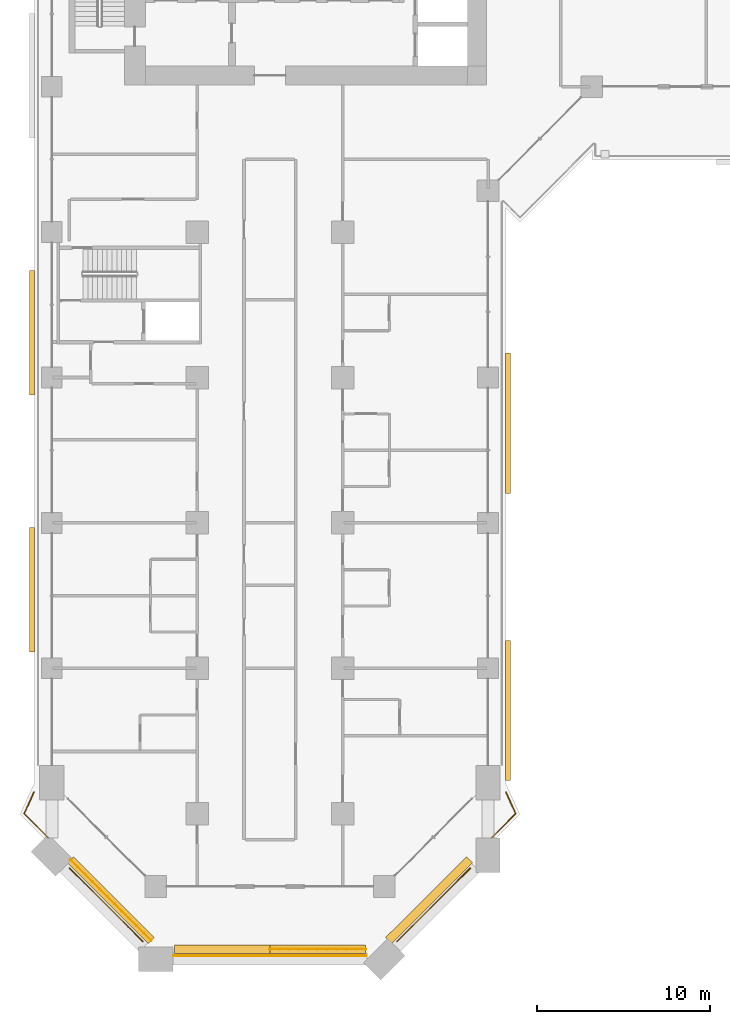
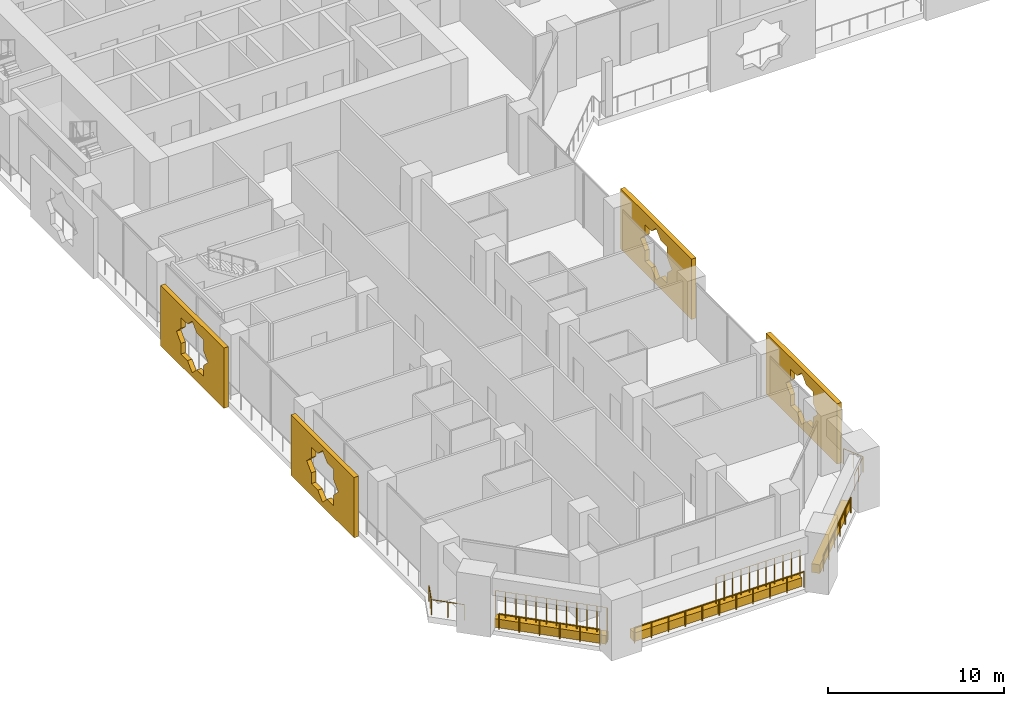
# One storey, part 21 of 26: 8 coverings, 7 railings.
"""IFC4 building model written with IfcOpenShell, lengths in metres."""

from ifc_helpers import new_model, si_unit, direction, frame, origin, origin_2d, place, context, subcontext, project, spatial, polyline, rectangle, circle, outline, extrude, material, material_profile, profile_set, type_object, element, save


model = new_model("IFC4")

# Units and contexts
model_context = context("Model", 3, precision=1e-05, world=origin(), true_north=direction((0.0, 1.0)))
body_context = subcontext(model_context, "Body", "Model", "MODEL_VIEW")
ifc_project = project(units=[si_unit("LENGTHUNIT", "METRE"), si_unit("AREAUNIT", "SQUARE_METRE"), si_unit("VOLUMEUNIT", "CUBIC_METRE"), si_unit("PLANEANGLEUNIT", "RADIAN"), si_unit("MASSUNIT", "GRAM", prefix="KILO")], contexts=[model_context])

# Site, building, storey
site_placement = place(None, origin())
site = spatial("IfcSite", under=ifc_project, at=site_placement, CompositionType="ELEMENT")
building_placement = place(site_placement, origin())
building = spatial("IfcBuilding", under=site, at=building_placement, Name="Kawkab Arch Medical Tower", CompositionType="ELEMENT")
storey_placement = place(building_placement, frame((0.0, 0.0, 51.800048828125)))
storey = spatial("IfcBuildingStorey", under=building, at=storey_placement, Name="L11", CompositionType="ELEMENT", Elevation=51.800048828125)

# Railings
ifc_material_1 = material(Name="Bronze anodised aluminium guard", Category="aluminium")
railing_type_1 = type_object("IfcRailingType", Name="Loggia and terrace guard 1100", PredefinedType="GUARDRAIL", material=ifc_material_1)
railing_1_placement = place(storey_placement, frame((1.030029296875, -70.346923828125, 0.0)))
element("IfcRailing", 1, at=railing_1_placement, inside=storey, type_object=railing_type_1, Name="Guard L11.TER-01.1.1", PredefinedType="GUARDRAIL", context=body_context, shape_type="SweptSolid", body=[
    extrude(circle(Radius=0.02392578125, at=origin_2d()), frame((0.0, 0.0, 1.076171875), z_axis=(0.707086341325, -0.707127220457, 0.0), x_axis=(0.707127220457, 0.707086341325, 0.0)), (0.0, 0.0, 1.0), 5.97216796875),
    extrude(circle(Radius=0.02099609375, at=origin_2d()), origin(), (0.0, 0.0, 1.0), 1.052001953125),
    extrude(circle(Radius=0.02099609375, at=origin_2d()), frame((0.844482421875, -0.8447265625, 0.0)), (0.0, 0.0, 1.0), 1.052001953125),
    extrude(circle(Radius=0.02099609375, at=origin_2d()), frame((1.689208984375, -1.689208984375, 0.0)), (0.0, 0.0, 1.0), 1.052001953125),
    extrude(circle(Radius=0.02099609375, at=origin_2d()), frame((2.53369140625, -2.533935546875, 0.0)), (0.0, 0.0, 1.0), 1.052001953125),
    extrude(circle(Radius=0.02099609375, at=origin_2d()), frame((3.37841796875, -3.37841796875, 0.0)), (0.0, 0.0, 1.0), 1.052001953125),
    extrude(circle(Radius=0.02099609375, at=origin_2d()), frame((4.222900390625, -4.22314453125, 0.0)), (0.0, 0.0, 1.0), 1.052001953125),
])
railing_2_placement = place(storey_placement, frame((7.030029296875, -75.39990234375, 0.0)))
element("IfcRailing", 2, at=railing_2_placement, inside=storey, type_object=railing_type_1, Name="Guard L11.TER-01.1.2", PredefinedType="GUARDRAIL", context=body_context, shape_type="SweptSolid", body=[
    extrude(circle(Radius=0.02392578125, at=origin_2d()), frame((0.0, 0.0, 1.076171875), z_axis=(1.0, 0.0, 0.0), x_axis=(0.0, 1.0, 0.0)), (0.0, 0.0, 1.0), 11.139892578125),
    extrude(circle(Radius=0.02099609375, at=origin_2d()), origin(), (0.0, 0.0, 1.0), 1.052001953125),
    extrude(circle(Radius=0.02099609375, at=origin_2d()), frame((1.114013671875, 0.0, 0.0)), (0.0, 0.0, 1.0), 1.052001953125),
    extrude(circle(Radius=0.02099609375, at=origin_2d()), frame((2.22802734375, 0.0, 0.0)), (0.0, 0.0, 1.0), 1.052001953125),
    extrude(circle(Radius=0.02099609375, at=origin_2d()), frame((3.342041015625, 0.0, 0.0)), (0.0, 0.0, 1.0), 1.052001953125),
    extrude(circle(Radius=0.02099609375, at=origin_2d()), frame((4.4560546875, 0.0, 0.0)), (0.0, 0.0, 1.0), 1.052001953125),
    extrude(circle(Radius=0.02099609375, at=origin_2d()), frame((5.56982421875, 0.0, 0.0)), (0.0, 0.0, 1.0), 1.052001953125),
    extrude(circle(Radius=0.02099609375, at=origin_2d()), frame((6.683837890625, 0.0, 0.0)), (0.0, 0.0, 1.0), 1.052001953125),
    extrude(circle(Radius=0.02099609375, at=origin_2d()), frame((7.7978515625, 0.0, 0.0)), (0.0, 0.0, 1.0), 1.052001953125),
    extrude(circle(Radius=0.02099609375, at=origin_2d()), frame((8.911865234375, 0.0, 0.0)), (0.0, 0.0, 1.0), 1.052001953125),
    extrude(circle(Radius=0.02099609375, at=origin_2d()), frame((10.02587890625, 0.0, 0.0)), (0.0, 0.0, 1.0), 1.052001953125),
    extrude(circle(Radius=0.02099609375, at=origin_2d()), frame((11.139892578125, 0.0, 0.0)), (0.0, 0.0, 1.0), 1.052001953125),
])
railing_3_placement = place(storey_placement, frame((19.947021484375, -74.570068359375, 0.0)))
element("IfcRailing", 3, at=railing_3_placement, inside=storey, type_object=railing_type_1, Name="Guard L11.TER-01.1.3", PredefinedType="GUARDRAIL", context=body_context, shape_type="SweptSolid", body=[
    extrude(circle(Radius=0.02392578125, at=origin_2d()), frame((0.0, 0.0, 1.076171875), z_axis=(0.707086341325, 0.707127220457, 0.0), x_axis=(-0.707127220457, 0.707086341325, 0.0)), (0.0, 0.0, 1.0), 5.97216796875),
    extrude(circle(Radius=0.02099609375, at=origin_2d()), origin(), (0.0, 0.0, 1.0), 1.052001953125),
    extrude(circle(Radius=0.02099609375, at=origin_2d()), frame((0.844482421875, 0.8447265625, 0.0)), (0.0, 0.0, 1.0), 1.052001953125),
    extrude(circle(Radius=0.02099609375, at=origin_2d()), frame((1.689208984375, 1.689208984375, 0.0)), (0.0, 0.0, 1.0), 1.052001953125),
    extrude(circle(Radius=0.02099609375, at=origin_2d()), frame((2.53369140625, 2.533935546875, 0.0)), (0.0, 0.0, 1.0), 1.052001953125),
    extrude(circle(Radius=0.02099609375, at=origin_2d()), frame((3.37841796875, 3.37841796875, 0.0)), (0.0, 0.0, 1.0), 1.052001953125),
    extrude(circle(Radius=0.02099609375, at=origin_2d()), frame((4.222900390625, 4.22314453125, 0.0)), (0.0, 0.0, 1.0), 1.052001953125),
])
railing_4_placement = place(storey_placement, frame((-0.22412109375, -68.570068359375, 0.0)))
element("IfcRailing", 4, at=railing_4_placement, inside=storey, type_object=railing_type_1, Name="Guard L11.LOG-01.1.1", PredefinedType="GUARDRAIL", context=body_context, shape_type="SweptSolid", body=[
    extrude(circle(Radius=0.02392578125, at=origin_2d()), frame((0.0, 0.0, 1.076171875), z_axis=(-0.706792693026, 0.707420729895, 0.0), x_axis=(-0.707420729895, -0.706792693026, 0.0)), (0.0, 0.0, 1.0), 1.943603515625),
    extrude(circle(Radius=0.02392578125, at=origin_2d()), frame((-1.373779296875, 1.375, 1.076171875), z_axis=(0.414420337807, 0.910085591366, 0.0), x_axis=(-0.910085591366, 0.414420337807, 0.0)), (0.0, 0.0, 1.0), 1.370361328125),
    extrude(circle(Radius=0.02099609375, at=origin_2d()), origin(), (0.0, 0.0, 1.0), 1.052001953125),
    extrude(circle(Radius=0.02099609375, at=origin_2d()), frame((-0.68701171875, 0.6875, 0.0)), (0.0, 0.0, 1.0), 1.052001953125),
    extrude(circle(Radius=0.02099609375, at=origin_2d()), frame((-1.373779296875, 1.375, 0.0)), (0.0, 0.0, 1.0), 1.052001953125),
    extrude(circle(Radius=0.02099609375, at=origin_2d()), frame((-1.08984375, 1.99853515625, 0.0)), (0.0, 0.0, 1.0), 1.052001953125),
    extrude(circle(Radius=0.02099609375, at=origin_2d()), frame((-0.805908203125, 2.6220703125, 0.0)), (0.0, 0.0, 1.0), 1.052001953125),
])
railing_5_placement = place(storey_placement, frame((26.22998046875, -65.947998046875, 0.0)))
element("IfcRailing", 5, at=railing_5_placement, inside=storey, type_object=railing_type_1, Name="Guard L11.LOG-01.1.3", PredefinedType="GUARDRAIL", context=body_context, shape_type="SweptSolid", body=[
    extrude(circle(Radius=0.02392578125, at=origin_2d()), frame((0.0, 0.0, 1.076171875), z_axis=(0.414567890698, -0.910018386629, 0.0), x_axis=(0.910018386629, 0.414567890698, 0.0)), (0.0, 0.0, 1.0), 1.370361328125),
    extrude(circle(Radius=0.02392578125, at=origin_2d()), frame((0.568115234375, -1.2470703125, 1.076171875), z_axis=(-0.706855544123, -0.707357929016, 0.0), x_axis=(0.707357929016, -0.706855544123, 0.0)), (0.0, 0.0, 1.0), 1.94384765625),
    extrude(circle(Radius=0.02099609375, at=origin_2d()), origin(), (0.0, 0.0, 1.0), 1.052001953125),
    extrude(circle(Radius=0.02099609375, at=origin_2d()), frame((0.2841796875, -0.62353515625, 0.0)), (0.0, 0.0, 1.0), 1.052001953125),
    extrude(circle(Radius=0.02099609375, at=origin_2d()), frame((0.568115234375, -1.2470703125, 0.0)), (0.0, 0.0, 1.0), 1.052001953125),
    extrude(circle(Radius=0.02099609375, at=origin_2d()), frame((-0.118896484375, -1.9345703125, 0.0)), (0.0, 0.0, 1.0), 1.052001953125),
    extrude(circle(Radius=0.02099609375, at=origin_2d()), frame((-0.805908203125, -2.6220703125, 0.0)), (0.0, 0.0, 1.0), 1.052001953125),
])

# Coverings
ifc_material_2 = material(Name="Bronze anodised aluminium mashrabiya panel, eight-point star pattern", Category="aluminium")
ifc_material_profile_1 = material_profile(ifc_material_2, outline(polyline([(-3.60009765625, -2.10009765625), (3.60009765625, -2.10009765625), (3.60009765625, 2.10009765625), (-3.60009765625, 2.10009765625), (-3.60009765625, -2.10009765625)]), holes=[polyline([(1.800048828125, 0.0), (1.272705078125, 0.527099609375), (1.272705078125, 1.272705078125), (0.527099609375, 1.272705078125), (0.0, 1.800048828125), (-0.527099609375, 1.272705078125), (-1.272705078125, 1.272705078125), (-1.272705078125, 0.527099609375), (-1.800048828125, 0.0), (-1.272705078125, -0.527099609375), (-1.272705078125, -1.272705078125), (-0.527099609375, -1.272705078125), (0.0, -1.800048828125), (0.527099609375, -1.272705078125), (1.272705078125, -1.272705078125), (1.272705078125, -0.527099609375), (1.800048828125, 0.0)])]), Name="Mashrabiya panel 7200x4200")
ifc_profile_set_1 = profile_set([ifc_material_profile_1], Name="Bronze anodised aluminium mashrabiya panel, eight-point star pattern")
covering_type_1 = type_object("IfcCoveringType", Name="Mashrabiya panel 7200 x 4200", PredefinedType="USERDEFINED", material=ifc_profile_set_1)
for number, where, z_axis, x_axis, name in (
    (6, (-1.0, -54.263916015625, 1.699951171875), (-1.0, 0.0, 0.0), (0.0, -1.0, 0.0), "Mashrabiya panel L11.LOG-01-01.1"),
    (7, (-1.0, -39.412841796875, 1.699951171875), (-1.0, 0.0, 0.0), (0.0, -1.0, 0.0), "Mashrabiya panel L11.LOG-01-01.2"),
):
    element("IfcCovering", number, at=place(storey_placement, frame(where, z_axis=z_axis, x_axis=x_axis)), inside=storey, type_object=covering_type_1, Name=name, ObjectType="SCREEN", PredefinedType="USERDEFINED", context=body_context, shape_type="SweptSolid", body=[
        extrude(outline(polyline([(-3.60009765625, -2.10009765625), (3.60009765625, -2.10009765625), (3.60009765625, 2.10009765625), (-3.60009765625, 2.10009765625), (-3.60009765625, -2.10009765625)]), holes=[polyline([(1.800048828125, 0.0), (1.272705078125, 0.527099609375), (1.272705078125, 1.272705078125), (0.527099609375, 1.272705078125), (0.0, 1.800048828125), (-0.527099609375, 1.272705078125), (-1.272705078125, 1.272705078125), (-1.272705078125, 0.527099609375), (-1.800048828125, 0.0), (-1.272705078125, -0.527099609375), (-1.272705078125, -1.272705078125), (-0.527099609375, -1.272705078125), (0.0, -1.800048828125), (0.527099609375, -1.272705078125), (1.272705078125, -1.272705078125), (1.272705078125, -0.527099609375), (1.800048828125, 0.0)])]), origin(), (0.0, 0.0, 1.0), 0.300048828125),
    ])
ifc_material_3 = material(Name="Bronze anodised aluminium mashrabiya panel, eight-point star pattern", Category="aluminium")
ifc_material_profile_2 = material_profile(ifc_material_3, outline(polyline([(-4.050048828125, -2.10009765625), (4.050048828125, -2.10009765625), (4.050048828125, 2.10009765625), (-4.050048828125, 2.10009765625), (-4.050048828125, -2.10009765625)]), holes=[polyline([(1.800048828125, 0.0), (1.272705078125, 0.527099609375), (1.272705078125, 1.272705078125), (0.527099609375, 1.272705078125), (0.0, 1.800048828125), (-0.527099609375, 1.272705078125), (-1.272705078125, 1.272705078125), (-1.272705078125, 0.527099609375), (-1.800048828125, 0.0), (-1.272705078125, -0.527099609375), (-1.272705078125, -1.272705078125), (-0.527099609375, -1.272705078125), (0.0, -1.800048828125), (0.527099609375, -1.272705078125), (1.272705078125, -1.272705078125), (1.272705078125, -0.527099609375), (1.800048828125, 0.0)])]), Name="Mashrabiya panel 8100x4200")
ifc_profile_set_2 = profile_set([ifc_material_profile_2], Name="Bronze anodised aluminium mashrabiya panel, eight-point star pattern")
covering_type_2 = type_object("IfcCoveringType", Name="Mashrabiya panel 8100 x 4200", PredefinedType="USERDEFINED", material=ifc_profile_set_2)
for number, where, z_axis, x_axis, name in (
    (8, (26.199951171875, -44.639892578125, 1.699951171875), (1.0, 0.0, 0.0), (0.0, 1.0, 0.0), "Mashrabiya panel L11.LOG-01-01.13"),
    (9, (26.199951171875, -61.229736328125, 1.699951171875), (1.0, 0.0, 0.0), (0.0, 1.0, 0.0), "Mashrabiya panel L11.LOG-01-01.14"),
):
    element("IfcCovering", number, at=place(storey_placement, frame(where, z_axis=z_axis, x_axis=x_axis)), inside=storey, type_object=covering_type_2, Name=name, ObjectType="SCREEN", PredefinedType="USERDEFINED", context=body_context, shape_type="SweptSolid", body=[
        extrude(outline(polyline([(-4.050048828125, -2.10009765625), (4.050048828125, -2.10009765625), (4.050048828125, 2.10009765625), (-4.050048828125, 2.10009765625), (-4.050048828125, -2.10009765625)]), holes=[polyline([(1.800048828125, 0.0), (1.272705078125, 0.527099609375), (1.272705078125, 1.272705078125), (0.527099609375, 1.272705078125), (0.0, 1.800048828125), (-0.527099609375, 1.272705078125), (-1.272705078125, 1.272705078125), (-1.272705078125, 0.527099609375), (-1.800048828125, 0.0), (-1.272705078125, -0.527099609375), (-1.272705078125, -1.272705078125), (-0.527099609375, -1.272705078125), (0.0, -1.800048828125), (0.527099609375, -1.272705078125), (1.272705078125, -1.272705078125), (1.272705078125, -0.527099609375), (1.800048828125, 0.0)])]), origin(), (0.0, 0.0, 1.0), 0.300048828125),
    ])
ifc_material_4 = material(Name="Planting soil in a precast trough", Category="concrete")
ifc_material_profile_3 = material_profile(ifc_material_4, rectangle(XDim=0.5, YDim=0.60009765625, at=origin_2d()), Name="Trough 500x600")
ifc_profile_set_3 = profile_set([ifc_material_profile_3], Name="Planting soil in a precast trough")
covering_type_3 = type_object("IfcCoveringType", Name="Planter trough 500 x 600", PredefinedType="USERDEFINED", material=ifc_profile_set_3)
covering_1_placement = place(storey_placement, frame((1.080078125, -69.85595703125, 0.300048828125), z_axis=(0.706866070309, -0.70734741015, 0.0), x_axis=(0.70734741015, 0.706866070309, 0.0)))
element("IfcCovering", 10, at=covering_1_placement, inside=storey, type_object=covering_type_3, Name="Planter L11.TER-01-01.1", ObjectType="PLANTER", PredefinedType="USERDEFINED", context=body_context, shape_type="SweptSolid", body=[
    extrude(rectangle(XDim=0.5, YDim=0.60009765625, at=origin_2d()), origin(), (0.0, 0.0, 1.0), 6.59375),
])
covering_2_placement = place(storey_placement, frame((7.080078125, -75.02001953125, 0.300048828125), z_axis=(1.0, 0.0, 0.0), x_axis=(0.0, 1.0, 0.0)))
element("IfcCovering", 11, at=covering_2_placement, inside=storey, type_object=covering_type_3, Name="Planter L11.TER-01-01.2", ObjectType="PLANTER", PredefinedType="USERDEFINED", context=body_context, shape_type="SweptSolid", body=[
    extrude(rectangle(XDim=0.5, YDim=0.60009765625, at=origin_2d()), origin(), (0.0, 0.0, 1.0), 5.517822265625),
])
covering_3_placement = place(storey_placement, frame((12.597900390625, -75.02001953125, 0.300048828125), z_axis=(1.0, 0.0, 0.0), x_axis=(0.0, 1.0, 0.0)))
element("IfcCovering", 12, at=covering_3_placement, inside=storey, type_object=covering_type_3, Name="Planter L11.TER-01-01.3", ObjectType="PLANTER", PredefinedType="USERDEFINED", context=body_context, shape_type="SweptSolid", body=[
    extrude(rectangle(XDim=0.5, YDim=0.60009765625, at=origin_2d()), origin(), (0.0, 0.0, 1.0), 5.522216796875),
])
covering_4_placement = place(storey_placement, frame((19.4560546875, -74.52001953125, 0.300048828125), z_axis=(0.707328897326, 0.706884595254, 0.0), x_axis=(-0.706884595254, 0.707328897326, 0.0)))
element("IfcCovering", 13, at=covering_4_placement, inside=storey, type_object=covering_type_3, Name="Planter L11.TER-01-01.4", ObjectType="PLANTER", PredefinedType="USERDEFINED", context=body_context, shape_type="SweptSolid", body=[
    extrude(rectangle(XDim=0.5, YDim=0.60009765625, at=origin_2d()), origin(), (0.0, 0.0, 1.0), 6.593994140625),
])

# Railings
ifc_material_5 = material(Name="Bronze anodised aluminium trellis for climbing plants", Category="aluminium")
railing_type_2 = type_object("IfcRailingType", Name="Planting trellis 2400", PredefinedType="USERDEFINED", material=ifc_material_5)
railing_6_placement = place(storey_placement, frame((1.080078125, -69.85595703125, 0.0)))
element("IfcRailing", 14, at=railing_6_placement, inside=storey, type_object=railing_type_2, Name="Planting trellis L11.TER-01-01.1", ObjectType="TRELLIS", PredefinedType="USERDEFINED", context=body_context, shape_type="SweptSolid", body=[
    extrude(circle(Radius=0.01513671875, at=origin_2d()), frame((0.0, 0.0, 2.384765625), z_axis=(0.706866070309, -0.70734741015, 0.0), x_axis=(0.70734741015, 0.706866070309, 0.0)), (0.0, 0.0, 1.0), 6.59375),
    extrude(circle(Radius=0.030029296875, at=origin_2d()), origin(), (0.0, 0.0, 1.0), 2.369873046875),
    extrude(circle(Radius=0.030029296875, at=origin_2d()), frame((0.423828125, -0.424072265625, 0.0)), (0.0, 0.0, 1.0), 2.369873046875),
    extrude(circle(Radius=0.030029296875, at=origin_2d()), frame((0.847412109375, -0.847900390625, 0.0)), (0.0, 0.0, 1.0), 2.369873046875),
    extrude(circle(Radius=0.030029296875, at=origin_2d()), frame((1.271240234375, -1.27197265625, 0.0)), (0.0, 0.0, 1.0), 2.369873046875),
    extrude(circle(Radius=0.030029296875, at=origin_2d()), frame((1.69482421875, -1.696044921875, 0.0)), (0.0, 0.0, 1.0), 2.369873046875),
    extrude(circle(Radius=0.030029296875, at=origin_2d()), frame((2.11865234375, -2.1201171875, 0.0)), (0.0, 0.0, 1.0), 2.369873046875),
    extrude(circle(Radius=0.030029296875, at=origin_2d()), frame((2.542236328125, -2.5439453125, 0.0)), (0.0, 0.0, 1.0), 2.369873046875),
    extrude(circle(Radius=0.030029296875, at=origin_2d()), frame((2.966064453125, -2.968017578125, 0.0)), (0.0, 0.0, 1.0), 2.369873046875),
    extrude(circle(Radius=0.030029296875, at=origin_2d()), frame((3.3896484375, -3.39208984375, 0.0)), (0.0, 0.0, 1.0), 2.369873046875),
    extrude(circle(Radius=0.030029296875, at=origin_2d()), frame((3.8134765625, -3.816162109375, 0.0)), (0.0, 0.0, 1.0), 2.369873046875),
    extrude(circle(Radius=0.030029296875, at=origin_2d()), frame((4.237060546875, -4.239990234375, 0.0)), (0.0, 0.0, 1.0), 2.369873046875),
    extrude(circle(Radius=0.030029296875, at=origin_2d()), frame((4.660888671875, -4.6640625, 0.0)), (0.0, 0.0, 1.0), 2.369873046875),
])
railing_7_placement = place(storey_placement, frame((12.597900390625, -75.02001953125, 0.0)))
element("IfcRailing", 15, at=railing_7_placement, inside=storey, type_object=railing_type_2, Name="Planting trellis L11.TER-01-01.3", ObjectType="TRELLIS", PredefinedType="USERDEFINED", context=body_context, shape_type="SweptSolid", body=[
    extrude(circle(Radius=0.01513671875, at=origin_2d()), frame((0.0, 0.0, 2.384765625), z_axis=(1.0, 0.0, 0.0), x_axis=(0.0, 1.0, 0.0)), (0.0, 0.0, 1.0), 5.522216796875),
    extrude(circle(Radius=0.030029296875, at=origin_2d()), origin(), (0.0, 0.0, 1.0), 2.369873046875),
    extrude(circle(Radius=0.030029296875, at=origin_2d()), frame((0.55224609375, 0.0, 0.0)), (0.0, 0.0, 1.0), 2.369873046875),
    extrude(circle(Radius=0.030029296875, at=origin_2d()), frame((1.1044921875, 0.0, 0.0)), (0.0, 0.0, 1.0), 2.369873046875),
    extrude(circle(Radius=0.030029296875, at=origin_2d()), frame((1.65673828125, 0.0, 0.0)), (0.0, 0.0, 1.0), 2.369873046875),
    extrude(circle(Radius=0.030029296875, at=origin_2d()), frame((2.208984375, 0.0, 0.0)), (0.0, 0.0, 1.0), 2.369873046875),
    extrude(circle(Radius=0.030029296875, at=origin_2d()), frame((2.76123046875, 0.0, 0.0)), (0.0, 0.0, 1.0), 2.369873046875),
    extrude(circle(Radius=0.030029296875, at=origin_2d()), frame((3.313232421875, 0.0, 0.0)), (0.0, 0.0, 1.0), 2.369873046875),
    extrude(circle(Radius=0.030029296875, at=origin_2d()), frame((3.865478515625, 0.0, 0.0)), (0.0, 0.0, 1.0), 2.369873046875),
    extrude(circle(Radius=0.030029296875, at=origin_2d()), frame((4.417724609375, 0.0, 0.0)), (0.0, 0.0, 1.0), 2.369873046875),
    extrude(circle(Radius=0.030029296875, at=origin_2d()), frame((4.969970703125, 0.0, 0.0)), (0.0, 0.0, 1.0), 2.369873046875),
    extrude(circle(Radius=0.030029296875, at=origin_2d()), frame((5.522216796875, 0.0, 0.0)), (0.0, 0.0, 1.0), 2.369873046875),
])

save(model, "model.ifc")
